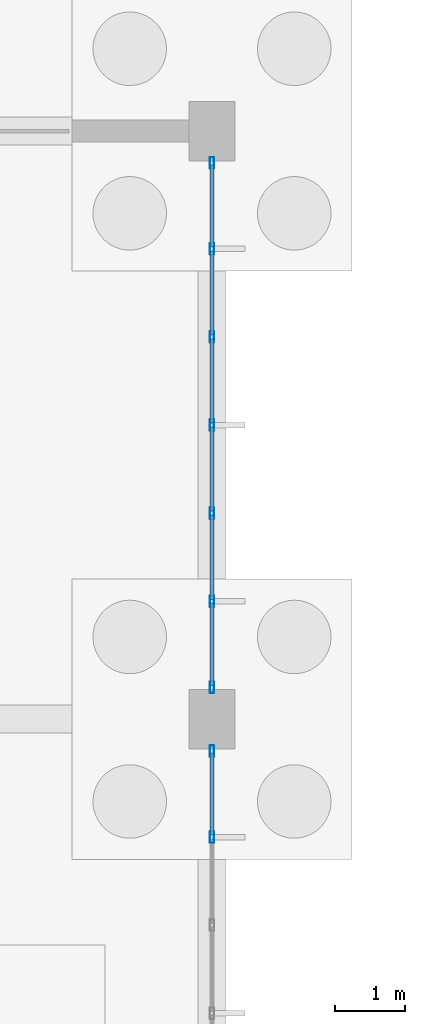
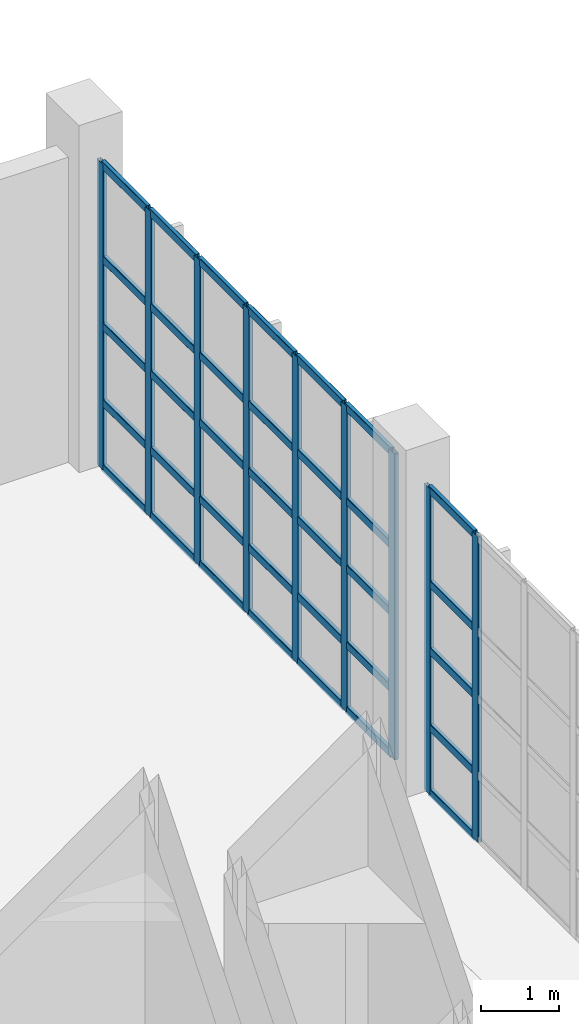
# One storey, part 33 of 83: 44 members, 2 elements without a shape of their own.
"""IFC4 building model written with IfcOpenShell, lengths in metres."""

from ifc_helpers import new_model, si_unit, direction, frame, origin, origin_2d, place, context, subcontext, project, spatial, hollow_rectangle, extrude, material, layer, layer_set, material_profile, profile_set, type_object, element, aggregate, save


model = new_model("IFC4")

# Units and contexts
model_context = context("Model", 3, precision=1e-05, world=origin(), true_north=direction((0.0, 1.0)))
body_context = subcontext(model_context, "Body", "Model", "MODEL_VIEW")
ifc_project = project(units=[si_unit("LENGTHUNIT", "METRE"), si_unit("AREAUNIT", "SQUARE_METRE"), si_unit("VOLUMEUNIT", "CUBIC_METRE"), si_unit("PLANEANGLEUNIT", "RADIAN"), si_unit("MASSUNIT", "GRAM", prefix="KILO"), si_unit("THERMODYNAMICTEMPERATUREUNIT", "KELVIN"), si_unit("POWERUNIT", "WATT")], contexts=[model_context])

# Site, building, storey
site_placement = place(None, origin())
site = spatial("IfcSite", under=ifc_project, at=site_placement, CompositionType="ELEMENT")
building_placement = place(site_placement, origin())
building = spatial("IfcBuilding", under=site, at=building_placement, Name="Mavoryth Pier Ferry Terminal", CompositionType="ELEMENT")
storey_placement = place(building_placement, origin())
storey = spatial("IfcBuildingStorey", under=building, at=storey_placement, Name="L00", CompositionType="ELEMENT", Elevation=0.0)

# Curtain wall, members
ifc_material_1 = material(Name="Anodised Aluminium and Solar-Control Low-E Glass", Category="aluminium")
ifc_layer = layer(ifc_material_1, 0.199951171875, Name="Anodised Aluminium and Solar-Control Low-E Glass", Category="aluminium")
ifc_layer_set = layer_set([ifc_layer], Name="Anodised Aluminium and Solar-Control Low-E Glass - CW-Concourse-Mod1200")
curtain_wall_type = type_object("IfcCurtainWallType", Name="CW-Concourse-Mod1200", PredefinedType="USERDEFINED", material=ifc_layer_set)
curtain_wall_1_placement = place(storey_placement, origin())
curtain_wall_1 = element("IfcCurtainWall", 1, at=curtain_wall_1_placement, inside=storey, type_object=curtain_wall_type, Name="Curtain Wall CW-0022-026", ObjectType="UNITISED CURTAIN WALL", PredefinedType="USERDEFINED")
ifc_material_2 = material(Name="Anodised Aluminium EN AW-6063", Category="aluminium")
ifc_material_profile_1 = material_profile(ifc_material_2, hollow_rectangle(XDim=0.06005859375, YDim=0.1650390625, WallThickness=0.00390625, InnerFilletRadius=0.00390625, OuterFilletRadius=0.008056640625, at=origin_2d()), Name="AL-MULL 165x60x4", Category="aluminium")
ifc_profile_set_1 = profile_set([ifc_material_profile_1], Name="Anodised Aluminium EN AW-6063 - AL-MULL 165x60x4")
member_type_1 = type_object("IfcMemberType", Name="Mullion-Alum-165x60", PredefinedType="MULLION", material=ifc_profile_set_1)
member_1_placement = place(storey_placement, frame((33.60009765625, 95.916748046875, 0.0), z_axis=(0.0, 0.0, 1.0), x_axis=(-1.0, 0.0, 0.0)))
member_1 = element("IfcMember", 2, at=member_1_placement, type_object=member_type_1, Name="CW02 mullion 6", PredefinedType="MULLION", context=body_context, shape_type="SweptSolid", body=[
    extrude(hollow_rectangle(XDim=0.06005859375, YDim=0.1650390625, WallThickness=0.00390625, InnerFilletRadius=0.00390625, OuterFilletRadius=0.008056640625, at=origin_2d()), origin(), (0.0, 0.0, 1.0), 4.794921875),
])
member_2_placement = place(storey_placement, frame((33.60009765625, 97.14501953125, 0.0), z_axis=(0.0, 0.0, 1.0), x_axis=(-1.0, 0.0, 0.0)))
member_2 = element("IfcMember", 3, at=member_2_placement, type_object=member_type_1, Name="CW02 mullion 7", PredefinedType="MULLION", context=body_context, shape_type="SweptSolid", body=[
    extrude(hollow_rectangle(XDim=0.06005859375, YDim=0.1650390625, WallThickness=0.00390625, InnerFilletRadius=0.00390625, OuterFilletRadius=0.008056640625, at=origin_2d()), origin(), (0.0, 0.0, 1.0), 4.794921875),
])

curtain_wall_2_placement = place(storey_placement, origin())
curtain_wall_2 = element("IfcCurtainWall", 4, at=curtain_wall_2_placement, inside=storey, type_object=curtain_wall_type, Name="Curtain Wall CW-0022-031", ObjectType="UNITISED CURTAIN WALL", PredefinedType="USERDEFINED")
member_3_placement = place(storey_placement, frame((33.60009765625, 98.054931640625, 0.0), z_axis=(0.0, 0.0, 1.0), x_axis=(-1.0, 0.0, 0.0)))
member_3 = element("IfcMember", 5, at=member_3_placement, type_object=member_type_1, Name="CW02 mullion 1", PredefinedType="MULLION", context=body_context, shape_type="SweptSolid", body=[
    extrude(hollow_rectangle(XDim=0.06005859375, YDim=0.1650390625, WallThickness=0.00390625, InnerFilletRadius=0.00390625, OuterFilletRadius=0.008056640625, at=origin_2d()), origin(), (0.0, 0.0, 1.0), 4.794921875),
])
member_4_placement = place(storey_placement, frame((33.60009765625, 99.283447265625, 0.0), z_axis=(0.0, 0.0, 1.0), x_axis=(-1.0, 0.0, 0.0)))
member_4 = element("IfcMember", 6, at=member_4_placement, type_object=member_type_1, Name="CW02 mullion 2", PredefinedType="MULLION", context=body_context, shape_type="SweptSolid", body=[
    extrude(hollow_rectangle(XDim=0.06005859375, YDim=0.1650390625, WallThickness=0.00390625, InnerFilletRadius=0.00390625, OuterFilletRadius=0.008056640625, at=origin_2d()), origin(), (0.0, 0.0, 1.0), 4.794921875),
])
member_5_placement = place(storey_placement, frame((33.60009765625, 100.541748046875, 0.0), z_axis=(0.0, 0.0, 1.0), x_axis=(-1.0, 0.0, 0.0)))
member_5 = element("IfcMember", 7, at=member_5_placement, type_object=member_type_1, Name="CW02 mullion 3", PredefinedType="MULLION", context=body_context, shape_type="SweptSolid", body=[
    extrude(hollow_rectangle(XDim=0.06005859375, YDim=0.1650390625, WallThickness=0.00390625, InnerFilletRadius=0.00390625, OuterFilletRadius=0.008056640625, at=origin_2d()), origin(), (0.0, 0.0, 1.0), 4.794921875),
])
member_6_placement = place(storey_placement, frame((33.60009765625, 101.800048828125, 0.0), z_axis=(0.0, 0.0, 1.0), x_axis=(-1.0, 0.0, 0.0)))
member_6 = element("IfcMember", 8, at=member_6_placement, type_object=member_type_1, Name="CW02 mullion 4", PredefinedType="MULLION", context=body_context, shape_type="SweptSolid", body=[
    extrude(hollow_rectangle(XDim=0.06005859375, YDim=0.1650390625, WallThickness=0.00390625, InnerFilletRadius=0.00390625, OuterFilletRadius=0.008056640625, at=origin_2d()), origin(), (0.0, 0.0, 1.0), 4.794921875),
])
member_7_placement = place(storey_placement, frame((33.60009765625, 103.058349609375, 0.0), z_axis=(0.0, 0.0, 1.0), x_axis=(-1.0, 0.0, 0.0)))
member_7 = element("IfcMember", 9, at=member_7_placement, type_object=member_type_1, Name="CW02 mullion 5", PredefinedType="MULLION", context=body_context, shape_type="SweptSolid", body=[
    extrude(hollow_rectangle(XDim=0.06005859375, YDim=0.1650390625, WallThickness=0.00390625, InnerFilletRadius=0.00390625, OuterFilletRadius=0.008056640625, at=origin_2d()), origin(), (0.0, 0.0, 1.0), 4.794921875),
])
member_8_placement = place(storey_placement, frame((33.60009765625, 104.316650390625, 0.0), z_axis=(0.0, 0.0, 1.0), x_axis=(-1.0, 0.0, 0.0)))
member_8 = element("IfcMember", 10, at=member_8_placement, type_object=member_type_1, Name="CW02 mullion 6", PredefinedType="MULLION", context=body_context, shape_type="SweptSolid", body=[
    extrude(hollow_rectangle(XDim=0.06005859375, YDim=0.1650390625, WallThickness=0.00390625, InnerFilletRadius=0.00390625, OuterFilletRadius=0.008056640625, at=origin_2d()), origin(), (0.0, 0.0, 1.0), 4.794921875),
])
member_9_placement = place(storey_placement, frame((33.60009765625, 105.544921875, 0.0), z_axis=(0.0, 0.0, 1.0), x_axis=(-1.0, 0.0, 0.0)))
member_9 = element("IfcMember", 11, at=member_9_placement, type_object=member_type_1, Name="CW02 mullion 7", PredefinedType="MULLION", context=body_context, shape_type="SweptSolid", body=[
    extrude(hollow_rectangle(XDim=0.06005859375, YDim=0.1650390625, WallThickness=0.00390625, InnerFilletRadius=0.00390625, OuterFilletRadius=0.008056640625, at=origin_2d()), origin(), (0.0, 0.0, 1.0), 4.794921875),
])

# Member
ifc_material_profile_2 = material_profile(ifc_material_2, hollow_rectangle(XDim=0.06005859375, YDim=0.125, WallThickness=0.00390625, InnerFilletRadius=0.00390625, OuterFilletRadius=0.008056640625, at=origin_2d()), Name="AL-TRAN 125x60x4", Category="aluminium")
ifc_profile_set_2 = profile_set([ifc_material_profile_2], Name="Anodised Aluminium EN AW-6063 - AL-TRAN 125x60x4")
member_type_2 = type_object("IfcMemberType", Name="Transom-Alum-125x60", PredefinedType="USERDEFINED", material=ifc_profile_set_2)
member_10_placement = place(storey_placement, frame((33.60009765625, 95.94677734375, 0.030029296875), z_axis=(0.0, 1.0, 0.0), x_axis=(-1.0, 0.0, 0.0)))
member_10 = element("IfcMember", 12, at=member_10_placement, type_object=member_type_2, Name="CW02 transom 6.1", ObjectType="TRANSOM", PredefinedType="USERDEFINED", context=body_context, shape_type="SweptSolid", body=[
    extrude(hollow_rectangle(XDim=0.06005859375, YDim=0.125, WallThickness=0.00390625, InnerFilletRadius=0.00390625, OuterFilletRadius=0.008056640625, at=origin_2d()), origin(), (0.0, 0.0, 1.0), 1.168212890625),
])

member_11_placement = place(storey_placement, frame((33.60009765625, 95.94677734375, 1.050048828125), z_axis=(0.0, 1.0, 0.0), x_axis=(-1.0, 0.0, 0.0)))
member_11 = element("IfcMember", 13, at=member_11_placement, type_object=member_type_2, Name="CW02 transom 6.2", ObjectType="TRANSOM", PredefinedType="USERDEFINED", context=body_context, shape_type="SweptSolid", body=[
    extrude(hollow_rectangle(XDim=0.06005859375, YDim=0.125, WallThickness=0.00390625, InnerFilletRadius=0.00390625, OuterFilletRadius=0.008056640625, at=origin_2d()), origin(), (0.0, 0.0, 1.0), 1.168212890625),
])

member_12_placement = place(storey_placement, frame((33.60009765625, 95.94677734375, 2.25), z_axis=(0.0, 1.0, 0.0), x_axis=(-1.0, 0.0, 0.0)))
member_12 = element("IfcMember", 14, at=member_12_placement, type_object=member_type_2, Name="CW02 transom 6.3", ObjectType="TRANSOM", PredefinedType="USERDEFINED", context=body_context, shape_type="SweptSolid", body=[
    extrude(hollow_rectangle(XDim=0.06005859375, YDim=0.125, WallThickness=0.00390625, InnerFilletRadius=0.00390625, OuterFilletRadius=0.008056640625, at=origin_2d()), origin(), (0.0, 0.0, 1.0), 1.168212890625),
])

member_13_placement = place(storey_placement, frame((33.60009765625, 95.94677734375, 3.300048828125), z_axis=(0.0, 1.0, 0.0), x_axis=(-1.0, 0.0, 0.0)))
member_13 = element("IfcMember", 15, at=member_13_placement, type_object=member_type_2, Name="CW02 transom 6.4", ObjectType="TRANSOM", PredefinedType="USERDEFINED", context=body_context, shape_type="SweptSolid", body=[
    extrude(hollow_rectangle(XDim=0.06005859375, YDim=0.125, WallThickness=0.00390625, InnerFilletRadius=0.00390625, OuterFilletRadius=0.008056640625, at=origin_2d()), origin(), (0.0, 0.0, 1.0), 1.168212890625),
])

member_14_placement = place(storey_placement, frame((33.60009765625, 95.94677734375, 4.764892578125), z_axis=(0.0, 1.0, 0.0), x_axis=(-1.0, 0.0, 0.0)))
member_14 = element("IfcMember", 16, at=member_14_placement, type_object=member_type_2, Name="CW02 transom 6.5", ObjectType="TRANSOM", PredefinedType="USERDEFINED", context=body_context, shape_type="SweptSolid", body=[
    extrude(hollow_rectangle(XDim=0.06005859375, YDim=0.125, WallThickness=0.00390625, InnerFilletRadius=0.00390625, OuterFilletRadius=0.008056640625, at=origin_2d()), origin(), (0.0, 0.0, 1.0), 1.168212890625),
])

aggregate(curtain_wall_1, [member_1, member_2, member_10, member_11, member_12, member_13, member_14])

member_15_placement = place(storey_placement, frame((33.60009765625, 98.0849609375, 0.030029296875), z_axis=(0.0, 1.0, 0.0), x_axis=(-1.0, 0.0, 0.0)))
member_15 = element("IfcMember", 17, at=member_15_placement, type_object=member_type_2, Name="CW02 transom 1.1", ObjectType="TRANSOM", PredefinedType="USERDEFINED", context=body_context, shape_type="SweptSolid", body=[
    extrude(hollow_rectangle(XDim=0.06005859375, YDim=0.125, WallThickness=0.00390625, InnerFilletRadius=0.00390625, OuterFilletRadius=0.008056640625, at=origin_2d()), origin(), (0.0, 0.0, 1.0), 1.16845703125),
])

member_16_placement = place(storey_placement, frame((33.60009765625, 98.0849609375, 1.050048828125), z_axis=(0.0, 1.0, 0.0), x_axis=(-1.0, 0.0, 0.0)))
member_16 = element("IfcMember", 18, at=member_16_placement, type_object=member_type_2, Name="CW02 transom 1.2", ObjectType="TRANSOM", PredefinedType="USERDEFINED", context=body_context, shape_type="SweptSolid", body=[
    extrude(hollow_rectangle(XDim=0.06005859375, YDim=0.125, WallThickness=0.00390625, InnerFilletRadius=0.00390625, OuterFilletRadius=0.008056640625, at=origin_2d()), origin(), (0.0, 0.0, 1.0), 1.16845703125),
])

member_17_placement = place(storey_placement, frame((33.60009765625, 98.0849609375, 2.25), z_axis=(0.0, 1.0, 0.0), x_axis=(-1.0, 0.0, 0.0)))
member_17 = element("IfcMember", 19, at=member_17_placement, type_object=member_type_2, Name="CW02 transom 1.3", ObjectType="TRANSOM", PredefinedType="USERDEFINED", context=body_context, shape_type="SweptSolid", body=[
    extrude(hollow_rectangle(XDim=0.06005859375, YDim=0.125, WallThickness=0.00390625, InnerFilletRadius=0.00390625, OuterFilletRadius=0.008056640625, at=origin_2d()), origin(), (0.0, 0.0, 1.0), 1.16845703125),
])

member_18_placement = place(storey_placement, frame((33.60009765625, 98.0849609375, 3.300048828125), z_axis=(0.0, 1.0, 0.0), x_axis=(-1.0, 0.0, 0.0)))
member_18 = element("IfcMember", 20, at=member_18_placement, type_object=member_type_2, Name="CW02 transom 1.4", ObjectType="TRANSOM", PredefinedType="USERDEFINED", context=body_context, shape_type="SweptSolid", body=[
    extrude(hollow_rectangle(XDim=0.06005859375, YDim=0.125, WallThickness=0.00390625, InnerFilletRadius=0.00390625, OuterFilletRadius=0.008056640625, at=origin_2d()), origin(), (0.0, 0.0, 1.0), 1.16845703125),
])

member_19_placement = place(storey_placement, frame((33.60009765625, 98.0849609375, 4.764892578125), z_axis=(0.0, 1.0, 0.0), x_axis=(-1.0, 0.0, 0.0)))
member_19 = element("IfcMember", 21, at=member_19_placement, type_object=member_type_2, Name="CW02 transom 1.5", ObjectType="TRANSOM", PredefinedType="USERDEFINED", context=body_context, shape_type="SweptSolid", body=[
    extrude(hollow_rectangle(XDim=0.06005859375, YDim=0.125, WallThickness=0.00390625, InnerFilletRadius=0.00390625, OuterFilletRadius=0.008056640625, at=origin_2d()), origin(), (0.0, 0.0, 1.0), 1.16845703125),
])

member_20_placement = place(storey_placement, frame((33.60009765625, 99.313232421875, 0.030029296875), z_axis=(0.0, 1.0, 0.0), x_axis=(-1.0, 0.0, 0.0)))
member_20 = element("IfcMember", 22, at=member_20_placement, type_object=member_type_2, Name="CW02 transom 2.1", ObjectType="TRANSOM", PredefinedType="USERDEFINED", context=body_context, shape_type="SweptSolid", body=[
    extrude(hollow_rectangle(XDim=0.06005859375, YDim=0.125, WallThickness=0.00390625, InnerFilletRadius=0.00390625, OuterFilletRadius=0.008056640625, at=origin_2d()), origin(), (0.0, 0.0, 1.0), 1.198486328125),
])

member_21_placement = place(storey_placement, frame((33.60009765625, 99.313232421875, 1.050048828125), z_axis=(0.0, 1.0, 0.0), x_axis=(-1.0, 0.0, 0.0)))
member_21 = element("IfcMember", 23, at=member_21_placement, type_object=member_type_2, Name="CW02 transom 2.2", ObjectType="TRANSOM", PredefinedType="USERDEFINED", context=body_context, shape_type="SweptSolid", body=[
    extrude(hollow_rectangle(XDim=0.06005859375, YDim=0.125, WallThickness=0.00390625, InnerFilletRadius=0.00390625, OuterFilletRadius=0.008056640625, at=origin_2d()), origin(), (0.0, 0.0, 1.0), 1.198486328125),
])

member_22_placement = place(storey_placement, frame((33.60009765625, 99.313232421875, 2.25), z_axis=(0.0, 1.0, 0.0), x_axis=(-1.0, 0.0, 0.0)))
member_22 = element("IfcMember", 24, at=member_22_placement, type_object=member_type_2, Name="CW02 transom 2.3", ObjectType="TRANSOM", PredefinedType="USERDEFINED", context=body_context, shape_type="SweptSolid", body=[
    extrude(hollow_rectangle(XDim=0.06005859375, YDim=0.125, WallThickness=0.00390625, InnerFilletRadius=0.00390625, OuterFilletRadius=0.008056640625, at=origin_2d()), origin(), (0.0, 0.0, 1.0), 1.198486328125),
])

member_23_placement = place(storey_placement, frame((33.60009765625, 99.313232421875, 3.300048828125), z_axis=(0.0, 1.0, 0.0), x_axis=(-1.0, 0.0, 0.0)))
member_23 = element("IfcMember", 25, at=member_23_placement, type_object=member_type_2, Name="CW02 transom 2.4", ObjectType="TRANSOM", PredefinedType="USERDEFINED", context=body_context, shape_type="SweptSolid", body=[
    extrude(hollow_rectangle(XDim=0.06005859375, YDim=0.125, WallThickness=0.00390625, InnerFilletRadius=0.00390625, OuterFilletRadius=0.008056640625, at=origin_2d()), origin(), (0.0, 0.0, 1.0), 1.198486328125),
])

member_24_placement = place(storey_placement, frame((33.60009765625, 99.313232421875, 4.764892578125), z_axis=(0.0, 1.0, 0.0), x_axis=(-1.0, 0.0, 0.0)))
member_24 = element("IfcMember", 26, at=member_24_placement, type_object=member_type_2, Name="CW02 transom 2.5", ObjectType="TRANSOM", PredefinedType="USERDEFINED", context=body_context, shape_type="SweptSolid", body=[
    extrude(hollow_rectangle(XDim=0.06005859375, YDim=0.125, WallThickness=0.00390625, InnerFilletRadius=0.00390625, OuterFilletRadius=0.008056640625, at=origin_2d()), origin(), (0.0, 0.0, 1.0), 1.198486328125),
])

member_25_placement = place(storey_placement, frame((33.60009765625, 100.57177734375, 0.030029296875), z_axis=(0.0, 1.0, 0.0), x_axis=(-1.0, 0.0, 0.0)))
member_25 = element("IfcMember", 27, at=member_25_placement, type_object=member_type_2, Name="CW02 transom 3.1", ObjectType="TRANSOM", PredefinedType="USERDEFINED", context=body_context, shape_type="SweptSolid", body=[
    extrude(hollow_rectangle(XDim=0.06005859375, YDim=0.125, WallThickness=0.00390625, InnerFilletRadius=0.00390625, OuterFilletRadius=0.008056640625, at=origin_2d()), origin(), (0.0, 0.0, 1.0), 1.1982421875),
])

member_26_placement = place(storey_placement, frame((33.60009765625, 100.57177734375, 1.050048828125), z_axis=(0.0, 1.0, 0.0), x_axis=(-1.0, 0.0, 0.0)))
member_26 = element("IfcMember", 28, at=member_26_placement, type_object=member_type_2, Name="CW02 transom 3.2", ObjectType="TRANSOM", PredefinedType="USERDEFINED", context=body_context, shape_type="SweptSolid", body=[
    extrude(hollow_rectangle(XDim=0.06005859375, YDim=0.125, WallThickness=0.00390625, InnerFilletRadius=0.00390625, OuterFilletRadius=0.008056640625, at=origin_2d()), origin(), (0.0, 0.0, 1.0), 1.1982421875),
])

member_27_placement = place(storey_placement, frame((33.60009765625, 100.57177734375, 2.25), z_axis=(0.0, 1.0, 0.0), x_axis=(-1.0, 0.0, 0.0)))
member_27 = element("IfcMember", 29, at=member_27_placement, type_object=member_type_2, Name="CW02 transom 3.3", ObjectType="TRANSOM", PredefinedType="USERDEFINED", context=body_context, shape_type="SweptSolid", body=[
    extrude(hollow_rectangle(XDim=0.06005859375, YDim=0.125, WallThickness=0.00390625, InnerFilletRadius=0.00390625, OuterFilletRadius=0.008056640625, at=origin_2d()), origin(), (0.0, 0.0, 1.0), 1.1982421875),
])

member_28_placement = place(storey_placement, frame((33.60009765625, 100.57177734375, 3.300048828125), z_axis=(0.0, 1.0, 0.0), x_axis=(-1.0, 0.0, 0.0)))
member_28 = element("IfcMember", 30, at=member_28_placement, type_object=member_type_2, Name="CW02 transom 3.4", ObjectType="TRANSOM", PredefinedType="USERDEFINED", context=body_context, shape_type="SweptSolid", body=[
    extrude(hollow_rectangle(XDim=0.06005859375, YDim=0.125, WallThickness=0.00390625, InnerFilletRadius=0.00390625, OuterFilletRadius=0.008056640625, at=origin_2d()), origin(), (0.0, 0.0, 1.0), 1.1982421875),
])

member_29_placement = place(storey_placement, frame((33.60009765625, 100.57177734375, 4.764892578125), z_axis=(0.0, 1.0, 0.0), x_axis=(-1.0, 0.0, 0.0)))
member_29 = element("IfcMember", 31, at=member_29_placement, type_object=member_type_2, Name="CW02 transom 3.5", ObjectType="TRANSOM", PredefinedType="USERDEFINED", context=body_context, shape_type="SweptSolid", body=[
    extrude(hollow_rectangle(XDim=0.06005859375, YDim=0.125, WallThickness=0.00390625, InnerFilletRadius=0.00390625, OuterFilletRadius=0.008056640625, at=origin_2d()), origin(), (0.0, 0.0, 1.0), 1.1982421875),
])

member_30_placement = place(storey_placement, frame((33.60009765625, 101.830078125, 0.030029296875), z_axis=(0.0, 1.0, 0.0), x_axis=(-1.0, 0.0, 0.0)))
member_30 = element("IfcMember", 32, at=member_30_placement, type_object=member_type_2, Name="CW02 transom 4.1", ObjectType="TRANSOM", PredefinedType="USERDEFINED", context=body_context, shape_type="SweptSolid", body=[
    extrude(hollow_rectangle(XDim=0.06005859375, YDim=0.125, WallThickness=0.00390625, InnerFilletRadius=0.00390625, OuterFilletRadius=0.008056640625, at=origin_2d()), origin(), (0.0, 0.0, 1.0), 1.1982421875),
])

member_31_placement = place(storey_placement, frame((33.60009765625, 101.830078125, 1.050048828125), z_axis=(0.0, 1.0, 0.0), x_axis=(-1.0, 0.0, 0.0)))
member_31 = element("IfcMember", 33, at=member_31_placement, type_object=member_type_2, Name="CW02 transom 4.2", ObjectType="TRANSOM", PredefinedType="USERDEFINED", context=body_context, shape_type="SweptSolid", body=[
    extrude(hollow_rectangle(XDim=0.06005859375, YDim=0.125, WallThickness=0.00390625, InnerFilletRadius=0.00390625, OuterFilletRadius=0.008056640625, at=origin_2d()), origin(), (0.0, 0.0, 1.0), 1.1982421875),
])

member_32_placement = place(storey_placement, frame((33.60009765625, 101.830078125, 2.25), z_axis=(0.0, 1.0, 0.0), x_axis=(-1.0, 0.0, 0.0)))
member_32 = element("IfcMember", 34, at=member_32_placement, type_object=member_type_2, Name="CW02 transom 4.3", ObjectType="TRANSOM", PredefinedType="USERDEFINED", context=body_context, shape_type="SweptSolid", body=[
    extrude(hollow_rectangle(XDim=0.06005859375, YDim=0.125, WallThickness=0.00390625, InnerFilletRadius=0.00390625, OuterFilletRadius=0.008056640625, at=origin_2d()), origin(), (0.0, 0.0, 1.0), 1.1982421875),
])

member_33_placement = place(storey_placement, frame((33.60009765625, 101.830078125, 3.300048828125), z_axis=(0.0, 1.0, 0.0), x_axis=(-1.0, 0.0, 0.0)))
member_33 = element("IfcMember", 35, at=member_33_placement, type_object=member_type_2, Name="CW02 transom 4.4", ObjectType="TRANSOM", PredefinedType="USERDEFINED", context=body_context, shape_type="SweptSolid", body=[
    extrude(hollow_rectangle(XDim=0.06005859375, YDim=0.125, WallThickness=0.00390625, InnerFilletRadius=0.00390625, OuterFilletRadius=0.008056640625, at=origin_2d()), origin(), (0.0, 0.0, 1.0), 1.1982421875),
])

member_34_placement = place(storey_placement, frame((33.60009765625, 101.830078125, 4.764892578125), z_axis=(0.0, 1.0, 0.0), x_axis=(-1.0, 0.0, 0.0)))
member_34 = element("IfcMember", 36, at=member_34_placement, type_object=member_type_2, Name="CW02 transom 4.5", ObjectType="TRANSOM", PredefinedType="USERDEFINED", context=body_context, shape_type="SweptSolid", body=[
    extrude(hollow_rectangle(XDim=0.06005859375, YDim=0.125, WallThickness=0.00390625, InnerFilletRadius=0.00390625, OuterFilletRadius=0.008056640625, at=origin_2d()), origin(), (0.0, 0.0, 1.0), 1.1982421875),
])

member_35_placement = place(storey_placement, frame((33.60009765625, 103.08837890625, 0.030029296875), z_axis=(0.0, 1.0, 0.0), x_axis=(-1.0, 0.0, 0.0)))
member_35 = element("IfcMember", 37, at=member_35_placement, type_object=member_type_2, Name="CW02 transom 5.1", ObjectType="TRANSOM", PredefinedType="USERDEFINED", context=body_context, shape_type="SweptSolid", body=[
    extrude(hollow_rectangle(XDim=0.06005859375, YDim=0.125, WallThickness=0.00390625, InnerFilletRadius=0.00390625, OuterFilletRadius=0.008056640625, at=origin_2d()), origin(), (0.0, 0.0, 1.0), 1.1982421875),
])

member_36_placement = place(storey_placement, frame((33.60009765625, 103.08837890625, 1.050048828125), z_axis=(0.0, 1.0, 0.0), x_axis=(-1.0, 0.0, 0.0)))
member_36 = element("IfcMember", 38, at=member_36_placement, type_object=member_type_2, Name="CW02 transom 5.2", ObjectType="TRANSOM", PredefinedType="USERDEFINED", context=body_context, shape_type="SweptSolid", body=[
    extrude(hollow_rectangle(XDim=0.06005859375, YDim=0.125, WallThickness=0.00390625, InnerFilletRadius=0.00390625, OuterFilletRadius=0.008056640625, at=origin_2d()), origin(), (0.0, 0.0, 1.0), 1.1982421875),
])

member_37_placement = place(storey_placement, frame((33.60009765625, 103.08837890625, 2.25), z_axis=(0.0, 1.0, 0.0), x_axis=(-1.0, 0.0, 0.0)))
member_37 = element("IfcMember", 39, at=member_37_placement, type_object=member_type_2, Name="CW02 transom 5.3", ObjectType="TRANSOM", PredefinedType="USERDEFINED", context=body_context, shape_type="SweptSolid", body=[
    extrude(hollow_rectangle(XDim=0.06005859375, YDim=0.125, WallThickness=0.00390625, InnerFilletRadius=0.00390625, OuterFilletRadius=0.008056640625, at=origin_2d()), origin(), (0.0, 0.0, 1.0), 1.1982421875),
])

member_38_placement = place(storey_placement, frame((33.60009765625, 103.08837890625, 3.300048828125), z_axis=(0.0, 1.0, 0.0), x_axis=(-1.0, 0.0, 0.0)))
member_38 = element("IfcMember", 40, at=member_38_placement, type_object=member_type_2, Name="CW02 transom 5.4", ObjectType="TRANSOM", PredefinedType="USERDEFINED", context=body_context, shape_type="SweptSolid", body=[
    extrude(hollow_rectangle(XDim=0.06005859375, YDim=0.125, WallThickness=0.00390625, InnerFilletRadius=0.00390625, OuterFilletRadius=0.008056640625, at=origin_2d()), origin(), (0.0, 0.0, 1.0), 1.1982421875),
])

member_39_placement = place(storey_placement, frame((33.60009765625, 103.08837890625, 4.764892578125), z_axis=(0.0, 1.0, 0.0), x_axis=(-1.0, 0.0, 0.0)))
member_39 = element("IfcMember", 41, at=member_39_placement, type_object=member_type_2, Name="CW02 transom 5.5", ObjectType="TRANSOM", PredefinedType="USERDEFINED", context=body_context, shape_type="SweptSolid", body=[
    extrude(hollow_rectangle(XDim=0.06005859375, YDim=0.125, WallThickness=0.00390625, InnerFilletRadius=0.00390625, OuterFilletRadius=0.008056640625, at=origin_2d()), origin(), (0.0, 0.0, 1.0), 1.1982421875),
])

member_40_placement = place(storey_placement, frame((33.60009765625, 104.3466796875, 0.030029296875), z_axis=(0.0, 1.0, 0.0), x_axis=(-1.0, 0.0, 0.0)))
member_40 = element("IfcMember", 42, at=member_40_placement, type_object=member_type_2, Name="CW02 transom 6.1", ObjectType="TRANSOM", PredefinedType="USERDEFINED", context=body_context, shape_type="SweptSolid", body=[
    extrude(hollow_rectangle(XDim=0.06005859375, YDim=0.125, WallThickness=0.00390625, InnerFilletRadius=0.00390625, OuterFilletRadius=0.008056640625, at=origin_2d()), origin(), (0.0, 0.0, 1.0), 1.168212890625),
])

member_41_placement = place(storey_placement, frame((33.60009765625, 104.3466796875, 1.050048828125), z_axis=(0.0, 1.0, 0.0), x_axis=(-1.0, 0.0, 0.0)))
member_41 = element("IfcMember", 43, at=member_41_placement, type_object=member_type_2, Name="CW02 transom 6.2", ObjectType="TRANSOM", PredefinedType="USERDEFINED", context=body_context, shape_type="SweptSolid", body=[
    extrude(hollow_rectangle(XDim=0.06005859375, YDim=0.125, WallThickness=0.00390625, InnerFilletRadius=0.00390625, OuterFilletRadius=0.008056640625, at=origin_2d()), origin(), (0.0, 0.0, 1.0), 1.168212890625),
])

member_42_placement = place(storey_placement, frame((33.60009765625, 104.3466796875, 2.25), z_axis=(0.0, 1.0, 0.0), x_axis=(-1.0, 0.0, 0.0)))
member_42 = element("IfcMember", 44, at=member_42_placement, type_object=member_type_2, Name="CW02 transom 6.3", ObjectType="TRANSOM", PredefinedType="USERDEFINED", context=body_context, shape_type="SweptSolid", body=[
    extrude(hollow_rectangle(XDim=0.06005859375, YDim=0.125, WallThickness=0.00390625, InnerFilletRadius=0.00390625, OuterFilletRadius=0.008056640625, at=origin_2d()), origin(), (0.0, 0.0, 1.0), 1.168212890625),
])

member_43_placement = place(storey_placement, frame((33.60009765625, 104.3466796875, 3.300048828125), z_axis=(0.0, 1.0, 0.0), x_axis=(-1.0, 0.0, 0.0)))
member_43 = element("IfcMember", 45, at=member_43_placement, type_object=member_type_2, Name="CW02 transom 6.4", ObjectType="TRANSOM", PredefinedType="USERDEFINED", context=body_context, shape_type="SweptSolid", body=[
    extrude(hollow_rectangle(XDim=0.06005859375, YDim=0.125, WallThickness=0.00390625, InnerFilletRadius=0.00390625, OuterFilletRadius=0.008056640625, at=origin_2d()), origin(), (0.0, 0.0, 1.0), 1.168212890625),
])

member_44_placement = place(storey_placement, frame((33.60009765625, 104.3466796875, 4.764892578125), z_axis=(0.0, 1.0, 0.0), x_axis=(-1.0, 0.0, 0.0)))
member_44 = element("IfcMember", 46, at=member_44_placement, type_object=member_type_2, Name="CW02 transom 6.5", ObjectType="TRANSOM", PredefinedType="USERDEFINED", context=body_context, shape_type="SweptSolid", body=[
    extrude(hollow_rectangle(XDim=0.06005859375, YDim=0.125, WallThickness=0.00390625, InnerFilletRadius=0.00390625, OuterFilletRadius=0.008056640625, at=origin_2d()), origin(), (0.0, 0.0, 1.0), 1.168212890625),
])

aggregate(curtain_wall_2, [member_3, member_4, member_5, member_6, member_7, member_8, member_9, member_15, member_16, member_17, member_18, member_19, member_20, member_21, member_22, member_23, member_24, member_25, member_26, member_27, member_28, member_29, member_30, member_31, member_32, member_33, member_34, member_35, member_36, member_37, member_38, member_39, member_40, member_41, member_42, member_43, member_44])

save(model, "model.ifc")
